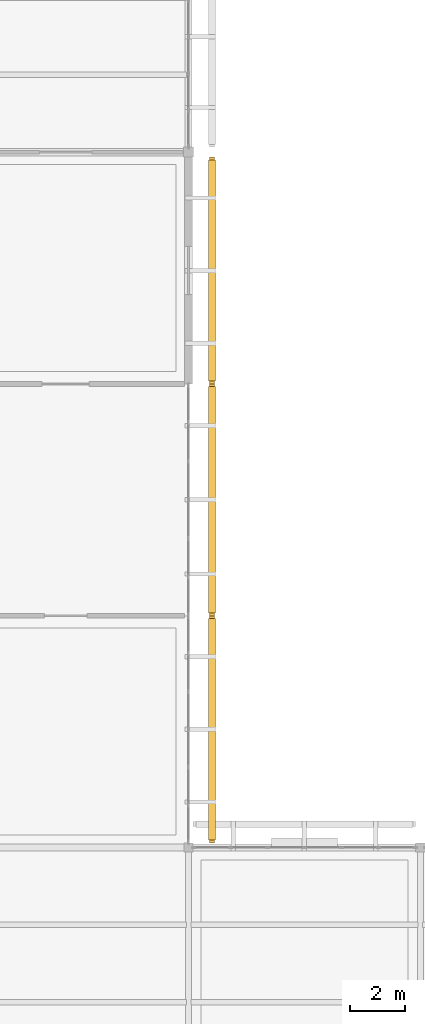
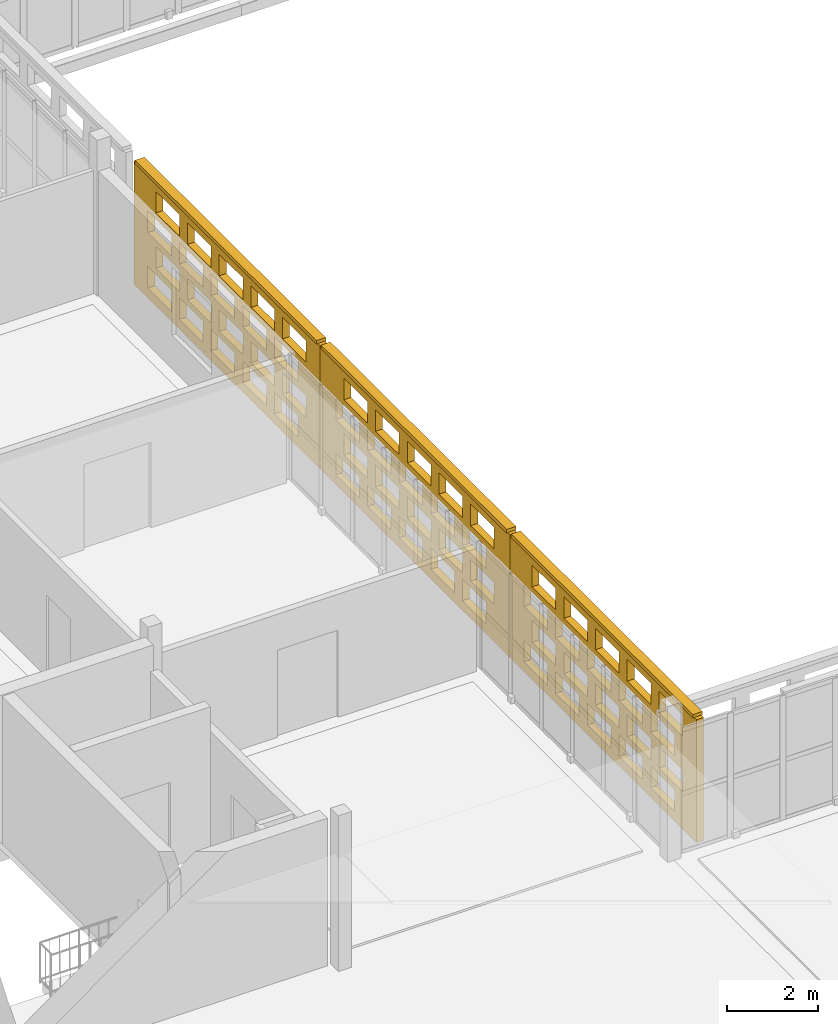
# One storey, part 125 of 140: 3 coverings, 3 shading devices, 60 openings.
"""IFC4 building model written with IfcOpenShell, lengths in metres."""

from ifc_helpers import new_model, si_unit, direction, frame, frame_2d, origin, origin_2d, place, context, subcontext, project, spatial, rectangle, extrude, material, layer, layer_set, type_object, element, save


model = new_model("IFC4")

# Units and contexts
model_context = context("Model", 3, precision=1e-05, world=origin(), true_north=direction((0.0, 1.0)))
body_context = subcontext(model_context, "Body", "Model", "MODEL_VIEW")
ifc_project = project(units=[si_unit("LENGTHUNIT", "METRE"), si_unit("AREAUNIT", "SQUARE_METRE"), si_unit("VOLUMEUNIT", "CUBIC_METRE"), si_unit("PLANEANGLEUNIT", "RADIAN"), si_unit("MASSUNIT", "GRAM", prefix="KILO")], contexts=[model_context])

# Site, building, storey
site_placement = place(None, origin())
site = spatial("IfcSite", under=ifc_project, at=site_placement, CompositionType="ELEMENT")
building_placement = place(site_placement, origin())
building = spatial("IfcBuilding", under=site, at=building_placement, Name="Varnapada Polytechnic", CompositionType="ELEMENT")
storey_placement = place(building_placement, frame((0.0, 0.0, 13.800048828125)))
storey = spatial("IfcBuildingStorey", under=building, at=storey_placement, Name="L03", CompositionType="ELEMENT", Elevation=13.800048828125)

# Covering, openings
ifc_material = material(Name="Earth-toned architectural terracotta screen block", Category="masonry")
ifc_layer_1 = layer(ifc_material, 0.1201171875)
ifc_layer_set_1 = layer_set([ifc_layer_1], Name="Earth-toned architectural terracotta screen block")
covering_type = type_object("IfcCoveringType", Name="Terracotta Screen Cladding CLD-01", PredefinedType="CLADDING", material=ifc_layer_set_1)
covering_1_placement = place(storey_placement, frame((68.050048828125, 100.800048828125, 0.0), z_axis=(0.0, 0.0, 1.0), x_axis=(0.0, -1.0, 0.0)))
covering_1 = element("IfcCovering", 1, at=covering_1_placement, inside=storey, type_object=covering_type, Name="L03 perforated terracotta block screen (49)", PredefinedType="CLADDING", context=body_context, shape_type="SweptSolid", body=[
    extrude(rectangle(XDim=8.22998046875, YDim=0.179931640625, at=frame_2d((4.114990234375, 0.0))), origin(), (0.0, 0.0, 1.0), 3.320068359375),
])
opening_1_placement = place(covering_1_placement, frame((0.614990234375, 0.0, 0.265625)))
element("IfcOpeningElement", 2, at=opening_1_placement, cuts=covering_1, Name="Screen perforation TBS-L03-048.1", PredefinedType="OPENING", context=body_context, shape_type="SweptSolid", body=[
    extrude(rectangle(XDim=1.0400390625, YDim=0.5810546875, at=frame_2d((0.52001953125, 0.29052734375))), frame((0.0, 0.099853515625, 0.0), z_axis=(0.0, -1.0, 0.0), x_axis=(1.0, 0.0, 0.0)), (0.0, 0.0, 1.0), 0.199951171875),
])
opening_2_placement = place(covering_1_placement, frame((2.014892578125, 0.0, 0.265625)))
element("IfcOpeningElement", 3, at=opening_2_placement, cuts=covering_1, Name="Screen perforation TBS-L03-048.2", PredefinedType="OPENING", context=body_context, shape_type="SweptSolid", body=[
    extrude(rectangle(XDim=1.0400390625, YDim=0.5810546875, at=frame_2d((0.52001953125, 0.29052734375))), frame((0.0, 0.099853515625, 0.0), z_axis=(0.0, -1.0, 0.0), x_axis=(1.0, 0.0, 0.0)), (0.0, 0.0, 1.0), 0.199951171875),
])
opening_3_placement = place(covering_1_placement, frame((3.4150390625, 0.0, 0.265625)))
element("IfcOpeningElement", 4, at=opening_3_placement, cuts=covering_1, Name="Screen perforation TBS-L03-048.3", PredefinedType="OPENING", context=body_context, shape_type="SweptSolid", body=[
    extrude(rectangle(XDim=1.0400390625, YDim=0.5810546875, at=frame_2d((0.52001953125, 0.29052734375))), frame((0.0, 0.099853515625, 0.0), z_axis=(0.0, -1.0, 0.0), x_axis=(1.0, 0.0, 0.0)), (0.0, 0.0, 1.0), 0.199951171875),
])
opening_4_placement = place(covering_1_placement, frame((4.81494140625, 0.0, 0.265625)))
element("IfcOpeningElement", 5, at=opening_4_placement, cuts=covering_1, Name="Screen perforation TBS-L03-048.4", PredefinedType="OPENING", context=body_context, shape_type="SweptSolid", body=[
    extrude(rectangle(XDim=1.0400390625, YDim=0.5810546875, at=frame_2d((0.52001953125, 0.29052734375))), frame((0.0, 0.099853515625, 0.0), z_axis=(0.0, -1.0, 0.0), x_axis=(1.0, 0.0, 0.0)), (0.0, 0.0, 1.0), 0.199951171875),
])
opening_5_placement = place(covering_1_placement, frame((6.215087890625, 0.0, 0.265625)))
element("IfcOpeningElement", 6, at=opening_5_placement, cuts=covering_1, Name="Screen perforation TBS-L03-048.5", PredefinedType="OPENING", context=body_context, shape_type="SweptSolid", body=[
    extrude(rectangle(XDim=1.0400390625, YDim=0.5810546875, at=frame_2d((0.52001953125, 0.29052734375))), frame((0.0, 0.099853515625, 0.0), z_axis=(0.0, -1.0, 0.0), x_axis=(1.0, 0.0, 0.0)), (0.0, 0.0, 1.0), 0.199951171875),
])
opening_6_placement = place(covering_1_placement, frame((0.97509765625, 0.0, 1.0126953125)))
element("IfcOpeningElement", 7, at=opening_6_placement, cuts=covering_1, Name="Screen perforation TBS-L03-048.6", PredefinedType="OPENING", context=body_context, shape_type="SweptSolid", body=[
    extrude(rectangle(XDim=1.0400390625, YDim=0.5810546875, at=frame_2d((0.52001953125, 0.29052734375))), frame((0.0, 0.099853515625, 0.0), z_axis=(0.0, -1.0, 0.0), x_axis=(1.0, 0.0, 0.0)), (0.0, 0.0, 1.0), 0.199951171875),
])
opening_7_placement = place(covering_1_placement, frame((2.375, 0.0, 1.0126953125)))
element("IfcOpeningElement", 8, at=opening_7_placement, cuts=covering_1, Name="Screen perforation TBS-L03-048.7", PredefinedType="OPENING", context=body_context, shape_type="SweptSolid", body=[
    extrude(rectangle(XDim=1.0400390625, YDim=0.5810546875, at=frame_2d((0.52001953125, 0.29052734375))), frame((0.0, 0.099853515625, 0.0), z_axis=(0.0, -1.0, 0.0), x_axis=(1.0, 0.0, 0.0)), (0.0, 0.0, 1.0), 0.199951171875),
])
opening_8_placement = place(covering_1_placement, frame((3.77490234375, 0.0, 1.0126953125)))
element("IfcOpeningElement", 9, at=opening_8_placement, cuts=covering_1, Name="Screen perforation TBS-L03-048.8", PredefinedType="OPENING", context=body_context, shape_type="SweptSolid", body=[
    extrude(rectangle(XDim=1.0400390625, YDim=0.5810546875, at=frame_2d((0.52001953125, 0.29052734375))), frame((0.0, 0.099853515625, 0.0), z_axis=(0.0, -1.0, 0.0), x_axis=(1.0, 0.0, 0.0)), (0.0, 0.0, 1.0), 0.199951171875),
])
opening_9_placement = place(covering_1_placement, frame((5.175048828125, 0.0, 1.0126953125)))
element("IfcOpeningElement", 10, at=opening_9_placement, cuts=covering_1, Name="Screen perforation TBS-L03-048.9", PredefinedType="OPENING", context=body_context, shape_type="SweptSolid", body=[
    extrude(rectangle(XDim=1.0400390625, YDim=0.5810546875, at=frame_2d((0.52001953125, 0.29052734375))), frame((0.0, 0.099853515625, 0.0), z_axis=(0.0, -1.0, 0.0), x_axis=(1.0, 0.0, 0.0)), (0.0, 0.0, 1.0), 0.199951171875),
])
opening_10_placement = place(covering_1_placement, frame((6.574951171875, 0.0, 1.0126953125)))
element("IfcOpeningElement", 11, at=opening_10_placement, cuts=covering_1, Name="Screen perforation TBS-L03-048.10", PredefinedType="OPENING", context=body_context, shape_type="SweptSolid", body=[
    extrude(rectangle(XDim=1.0400390625, YDim=0.5810546875, at=frame_2d((0.52001953125, 0.29052734375))), frame((0.0, 0.099853515625, 0.0), z_axis=(0.0, -1.0, 0.0), x_axis=(1.0, 0.0, 0.0)), (0.0, 0.0, 1.0), 0.199951171875),
])
opening_11_placement = place(covering_1_placement, frame((0.614990234375, 0.0, 1.759521484375)))
element("IfcOpeningElement", 12, at=opening_11_placement, cuts=covering_1, Name="Screen perforation TBS-L03-048.11", PredefinedType="OPENING", context=body_context, shape_type="SweptSolid", body=[
    extrude(rectangle(XDim=1.0400390625, YDim=0.5810546875, at=frame_2d((0.52001953125, 0.29052734375))), frame((0.0, 0.099853515625, 0.0), z_axis=(0.0, -1.0, 0.0), x_axis=(1.0, 0.0, 0.0)), (0.0, 0.0, 1.0), 0.199951171875),
])
opening_12_placement = place(covering_1_placement, frame((2.014892578125, 0.0, 1.759521484375)))
element("IfcOpeningElement", 13, at=opening_12_placement, cuts=covering_1, Name="Screen perforation TBS-L03-048.12", PredefinedType="OPENING", context=body_context, shape_type="SweptSolid", body=[
    extrude(rectangle(XDim=1.0400390625, YDim=0.5810546875, at=frame_2d((0.52001953125, 0.29052734375))), frame((0.0, 0.099853515625, 0.0), z_axis=(0.0, -1.0, 0.0), x_axis=(1.0, 0.0, 0.0)), (0.0, 0.0, 1.0), 0.199951171875),
])
opening_13_placement = place(covering_1_placement, frame((3.4150390625, 0.0, 1.759521484375)))
element("IfcOpeningElement", 14, at=opening_13_placement, cuts=covering_1, Name="Screen perforation TBS-L03-048.13", PredefinedType="OPENING", context=body_context, shape_type="SweptSolid", body=[
    extrude(rectangle(XDim=1.0400390625, YDim=0.5810546875, at=frame_2d((0.52001953125, 0.29052734375))), frame((0.0, 0.099853515625, 0.0), z_axis=(0.0, -1.0, 0.0), x_axis=(1.0, 0.0, 0.0)), (0.0, 0.0, 1.0), 0.199951171875),
])
opening_14_placement = place(covering_1_placement, frame((4.81494140625, 0.0, 1.759521484375)))
element("IfcOpeningElement", 15, at=opening_14_placement, cuts=covering_1, Name="Screen perforation TBS-L03-048.14", PredefinedType="OPENING", context=body_context, shape_type="SweptSolid", body=[
    extrude(rectangle(XDim=1.0400390625, YDim=0.5810546875, at=frame_2d((0.52001953125, 0.29052734375))), frame((0.0, 0.099853515625, 0.0), z_axis=(0.0, -1.0, 0.0), x_axis=(1.0, 0.0, 0.0)), (0.0, 0.0, 1.0), 0.199951171875),
])
opening_15_placement = place(covering_1_placement, frame((6.215087890625, 0.0, 1.759521484375)))
element("IfcOpeningElement", 16, at=opening_15_placement, cuts=covering_1, Name="Screen perforation TBS-L03-048.15", PredefinedType="OPENING", context=body_context, shape_type="SweptSolid", body=[
    extrude(rectangle(XDim=1.0400390625, YDim=0.5810546875, at=frame_2d((0.52001953125, 0.29052734375))), frame((0.0, 0.099853515625, 0.0), z_axis=(0.0, -1.0, 0.0), x_axis=(1.0, 0.0, 0.0)), (0.0, 0.0, 1.0), 0.199951171875),
])
opening_16_placement = place(covering_1_placement, frame((0.97509765625, 0.0, 2.506591796875)))
element("IfcOpeningElement", 17, at=opening_16_placement, cuts=covering_1, Name="Screen perforation TBS-L03-048.16", PredefinedType="OPENING", context=body_context, shape_type="SweptSolid", body=[
    extrude(rectangle(XDim=1.0400390625, YDim=0.5810546875, at=frame_2d((0.52001953125, 0.29052734375))), frame((0.0, 0.099853515625, 0.0), z_axis=(0.0, -1.0, 0.0), x_axis=(1.0, 0.0, 0.0)), (0.0, 0.0, 1.0), 0.199951171875),
])
opening_17_placement = place(covering_1_placement, frame((2.375, 0.0, 2.506591796875)))
element("IfcOpeningElement", 18, at=opening_17_placement, cuts=covering_1, Name="Screen perforation TBS-L03-048.17", PredefinedType="OPENING", context=body_context, shape_type="SweptSolid", body=[
    extrude(rectangle(XDim=1.0400390625, YDim=0.5810546875, at=frame_2d((0.52001953125, 0.29052734375))), frame((0.0, 0.099853515625, 0.0), z_axis=(0.0, -1.0, 0.0), x_axis=(1.0, 0.0, 0.0)), (0.0, 0.0, 1.0), 0.199951171875),
])
opening_18_placement = place(covering_1_placement, frame((3.77490234375, 0.0, 2.506591796875)))
element("IfcOpeningElement", 19, at=opening_18_placement, cuts=covering_1, Name="Screen perforation TBS-L03-048.18", PredefinedType="OPENING", context=body_context, shape_type="SweptSolid", body=[
    extrude(rectangle(XDim=1.0400390625, YDim=0.5810546875, at=frame_2d((0.52001953125, 0.29052734375))), frame((0.0, 0.099853515625, 0.0), z_axis=(0.0, -1.0, 0.0), x_axis=(1.0, 0.0, 0.0)), (0.0, 0.0, 1.0), 0.199951171875),
])
opening_19_placement = place(covering_1_placement, frame((5.175048828125, 0.0, 2.506591796875)))
element("IfcOpeningElement", 20, at=opening_19_placement, cuts=covering_1, Name="Screen perforation TBS-L03-048.19", PredefinedType="OPENING", context=body_context, shape_type="SweptSolid", body=[
    extrude(rectangle(XDim=1.0400390625, YDim=0.5810546875, at=frame_2d((0.52001953125, 0.29052734375))), frame((0.0, 0.099853515625, 0.0), z_axis=(0.0, -1.0, 0.0), x_axis=(1.0, 0.0, 0.0)), (0.0, 0.0, 1.0), 0.199951171875),
])
opening_20_placement = place(covering_1_placement, frame((6.574951171875, 0.0, 2.506591796875)))
element("IfcOpeningElement", 21, at=opening_20_placement, cuts=covering_1, Name="Screen perforation TBS-L03-048.20", PredefinedType="OPENING", context=body_context, shape_type="SweptSolid", body=[
    extrude(rectangle(XDim=1.0400390625, YDim=0.5810546875, at=frame_2d((0.52001953125, 0.29052734375))), frame((0.0, 0.099853515625, 0.0), z_axis=(0.0, -1.0, 0.0), x_axis=(1.0, 0.0, 0.0)), (0.0, 0.0, 1.0), 0.199951171875),
])

covering_2_placement = place(storey_placement, frame((68.050048828125, 109.199951171875, 0.0), z_axis=(0.0, 0.0, 1.0), x_axis=(0.0, -1.0, 0.0)))
covering_2 = element("IfcCovering", 22, at=covering_2_placement, inside=storey, type_object=covering_type, Name="L03 perforated terracotta block screen (50)", PredefinedType="CLADDING", context=body_context, shape_type="SweptSolid", body=[
    extrude(rectangle(XDim=8.39990234375, YDim=0.179931640625, at=frame_2d((4.199951171875, 0.0))), origin(), (0.0, 0.0, 1.0), 3.320068359375),
])
opening_21_placement = place(covering_2_placement, frame((0.699951171875, 0.0, 0.265625)))
element("IfcOpeningElement", 23, at=opening_21_placement, cuts=covering_2, Name="Screen perforation TBS-L03-049.1", PredefinedType="OPENING", context=body_context, shape_type="SweptSolid", body=[
    extrude(rectangle(XDim=1.0400390625, YDim=0.5810546875, at=frame_2d((0.52001953125, 0.29052734375))), frame((0.0, 0.099853515625, 0.0), z_axis=(0.0, -1.0, 0.0), x_axis=(1.0, 0.0, 0.0)), (0.0, 0.0, 1.0), 0.199951171875),
])
opening_22_placement = place(covering_2_placement, frame((2.10009765625, 0.0, 0.265625)))
element("IfcOpeningElement", 24, at=opening_22_placement, cuts=covering_2, Name="Screen perforation TBS-L03-049.2", PredefinedType="OPENING", context=body_context, shape_type="SweptSolid", body=[
    extrude(rectangle(XDim=1.0400390625, YDim=0.5810546875, at=frame_2d((0.52001953125, 0.29052734375))), frame((0.0, 0.099853515625, 0.0), z_axis=(0.0, -1.0, 0.0), x_axis=(1.0, 0.0, 0.0)), (0.0, 0.0, 1.0), 0.199951171875),
])
opening_23_placement = place(covering_2_placement, frame((3.5, 0.0, 0.265625)))
element("IfcOpeningElement", 25, at=opening_23_placement, cuts=covering_2, Name="Screen perforation TBS-L03-049.3", PredefinedType="OPENING", context=body_context, shape_type="SweptSolid", body=[
    extrude(rectangle(XDim=1.0400390625, YDim=0.5810546875, at=frame_2d((0.52001953125, 0.29052734375))), frame((0.0, 0.099853515625, 0.0), z_axis=(0.0, -1.0, 0.0), x_axis=(1.0, 0.0, 0.0)), (0.0, 0.0, 1.0), 0.199951171875),
])
opening_24_placement = place(covering_2_placement, frame((4.89990234375, 0.0, 0.265625)))
element("IfcOpeningElement", 26, at=opening_24_placement, cuts=covering_2, Name="Screen perforation TBS-L03-049.4", PredefinedType="OPENING", context=body_context, shape_type="SweptSolid", body=[
    extrude(rectangle(XDim=1.0400390625, YDim=0.5810546875, at=frame_2d((0.52001953125, 0.29052734375))), frame((0.0, 0.099853515625, 0.0), z_axis=(0.0, -1.0, 0.0), x_axis=(1.0, 0.0, 0.0)), (0.0, 0.0, 1.0), 0.199951171875),
])
opening_25_placement = place(covering_2_placement, frame((6.300048828125, 0.0, 0.265625)))
element("IfcOpeningElement", 27, at=opening_25_placement, cuts=covering_2, Name="Screen perforation TBS-L03-049.5", PredefinedType="OPENING", context=body_context, shape_type="SweptSolid", body=[
    extrude(rectangle(XDim=1.0400390625, YDim=0.5810546875, at=frame_2d((0.52001953125, 0.29052734375))), frame((0.0, 0.099853515625, 0.0), z_axis=(0.0, -1.0, 0.0), x_axis=(1.0, 0.0, 0.0)), (0.0, 0.0, 1.0), 0.199951171875),
])
opening_26_placement = place(covering_2_placement, frame((1.06005859375, 0.0, 1.0126953125)))
element("IfcOpeningElement", 28, at=opening_26_placement, cuts=covering_2, Name="Screen perforation TBS-L03-049.6", PredefinedType="OPENING", context=body_context, shape_type="SweptSolid", body=[
    extrude(rectangle(XDim=1.0400390625, YDim=0.5810546875, at=frame_2d((0.52001953125, 0.29052734375))), frame((0.0, 0.099853515625, 0.0), z_axis=(0.0, -1.0, 0.0), x_axis=(1.0, 0.0, 0.0)), (0.0, 0.0, 1.0), 0.199951171875),
])
opening_27_placement = place(covering_2_placement, frame((2.4599609375, 0.0, 1.0126953125)))
element("IfcOpeningElement", 29, at=opening_27_placement, cuts=covering_2, Name="Screen perforation TBS-L03-049.7", PredefinedType="OPENING", context=body_context, shape_type="SweptSolid", body=[
    extrude(rectangle(XDim=1.0400390625, YDim=0.5810546875, at=frame_2d((0.52001953125, 0.29052734375))), frame((0.0, 0.099853515625, 0.0), z_axis=(0.0, -1.0, 0.0), x_axis=(1.0, 0.0, 0.0)), (0.0, 0.0, 1.0), 0.199951171875),
])
opening_28_placement = place(covering_2_placement, frame((3.860107421875, 0.0, 1.0126953125)))
element("IfcOpeningElement", 30, at=opening_28_placement, cuts=covering_2, Name="Screen perforation TBS-L03-049.8", PredefinedType="OPENING", context=body_context, shape_type="SweptSolid", body=[
    extrude(rectangle(XDim=1.0400390625, YDim=0.5810546875, at=frame_2d((0.52001953125, 0.29052734375))), frame((0.0, 0.099853515625, 0.0), z_axis=(0.0, -1.0, 0.0), x_axis=(1.0, 0.0, 0.0)), (0.0, 0.0, 1.0), 0.199951171875),
])
opening_29_placement = place(covering_2_placement, frame((5.260009765625, 0.0, 1.0126953125)))
element("IfcOpeningElement", 31, at=opening_29_placement, cuts=covering_2, Name="Screen perforation TBS-L03-049.9", PredefinedType="OPENING", context=body_context, shape_type="SweptSolid", body=[
    extrude(rectangle(XDim=1.0400390625, YDim=0.5810546875, at=frame_2d((0.52001953125, 0.29052734375))), frame((0.0, 0.099853515625, 0.0), z_axis=(0.0, -1.0, 0.0), x_axis=(1.0, 0.0, 0.0)), (0.0, 0.0, 1.0), 0.199951171875),
])
opening_30_placement = place(covering_2_placement, frame((6.659912109375, 0.0, 1.0126953125)))
element("IfcOpeningElement", 32, at=opening_30_placement, cuts=covering_2, Name="Screen perforation TBS-L03-049.10", PredefinedType="OPENING", context=body_context, shape_type="SweptSolid", body=[
    extrude(rectangle(XDim=1.0400390625, YDim=0.5810546875, at=frame_2d((0.52001953125, 0.29052734375))), frame((0.0, 0.099853515625, 0.0), z_axis=(0.0, -1.0, 0.0), x_axis=(1.0, 0.0, 0.0)), (0.0, 0.0, 1.0), 0.199951171875),
])
opening_31_placement = place(covering_2_placement, frame((0.699951171875, 0.0, 1.759521484375)))
element("IfcOpeningElement", 33, at=opening_31_placement, cuts=covering_2, Name="Screen perforation TBS-L03-049.11", PredefinedType="OPENING", context=body_context, shape_type="SweptSolid", body=[
    extrude(rectangle(XDim=1.0400390625, YDim=0.5810546875, at=frame_2d((0.52001953125, 0.29052734375))), frame((0.0, 0.099853515625, 0.0), z_axis=(0.0, -1.0, 0.0), x_axis=(1.0, 0.0, 0.0)), (0.0, 0.0, 1.0), 0.199951171875),
])
opening_32_placement = place(covering_2_placement, frame((2.10009765625, 0.0, 1.759521484375)))
element("IfcOpeningElement", 34, at=opening_32_placement, cuts=covering_2, Name="Screen perforation TBS-L03-049.12", PredefinedType="OPENING", context=body_context, shape_type="SweptSolid", body=[
    extrude(rectangle(XDim=1.0400390625, YDim=0.5810546875, at=frame_2d((0.52001953125, 0.29052734375))), frame((0.0, 0.099853515625, 0.0), z_axis=(0.0, -1.0, 0.0), x_axis=(1.0, 0.0, 0.0)), (0.0, 0.0, 1.0), 0.199951171875),
])
opening_33_placement = place(covering_2_placement, frame((3.5, 0.0, 1.759521484375)))
element("IfcOpeningElement", 35, at=opening_33_placement, cuts=covering_2, Name="Screen perforation TBS-L03-049.13", PredefinedType="OPENING", context=body_context, shape_type="SweptSolid", body=[
    extrude(rectangle(XDim=1.0400390625, YDim=0.5810546875, at=frame_2d((0.52001953125, 0.29052734375))), frame((0.0, 0.099853515625, 0.0), z_axis=(0.0, -1.0, 0.0), x_axis=(1.0, 0.0, 0.0)), (0.0, 0.0, 1.0), 0.199951171875),
])
opening_34_placement = place(covering_2_placement, frame((4.89990234375, 0.0, 1.759521484375)))
element("IfcOpeningElement", 36, at=opening_34_placement, cuts=covering_2, Name="Screen perforation TBS-L03-049.14", PredefinedType="OPENING", context=body_context, shape_type="SweptSolid", body=[
    extrude(rectangle(XDim=1.0400390625, YDim=0.5810546875, at=frame_2d((0.52001953125, 0.29052734375))), frame((0.0, 0.099853515625, 0.0), z_axis=(0.0, -1.0, 0.0), x_axis=(1.0, 0.0, 0.0)), (0.0, 0.0, 1.0), 0.199951171875),
])
opening_35_placement = place(covering_2_placement, frame((6.300048828125, 0.0, 1.759521484375)))
element("IfcOpeningElement", 37, at=opening_35_placement, cuts=covering_2, Name="Screen perforation TBS-L03-049.15", PredefinedType="OPENING", context=body_context, shape_type="SweptSolid", body=[
    extrude(rectangle(XDim=1.0400390625, YDim=0.5810546875, at=frame_2d((0.52001953125, 0.29052734375))), frame((0.0, 0.099853515625, 0.0), z_axis=(0.0, -1.0, 0.0), x_axis=(1.0, 0.0, 0.0)), (0.0, 0.0, 1.0), 0.199951171875),
])
opening_36_placement = place(covering_2_placement, frame((1.06005859375, 0.0, 2.506591796875)))
element("IfcOpeningElement", 38, at=opening_36_placement, cuts=covering_2, Name="Screen perforation TBS-L03-049.16", PredefinedType="OPENING", context=body_context, shape_type="SweptSolid", body=[
    extrude(rectangle(XDim=1.0400390625, YDim=0.5810546875, at=frame_2d((0.52001953125, 0.29052734375))), frame((0.0, 0.099853515625, 0.0), z_axis=(0.0, -1.0, 0.0), x_axis=(1.0, 0.0, 0.0)), (0.0, 0.0, 1.0), 0.199951171875),
])
opening_37_placement = place(covering_2_placement, frame((2.4599609375, 0.0, 2.506591796875)))
element("IfcOpeningElement", 39, at=opening_37_placement, cuts=covering_2, Name="Screen perforation TBS-L03-049.17", PredefinedType="OPENING", context=body_context, shape_type="SweptSolid", body=[
    extrude(rectangle(XDim=1.0400390625, YDim=0.5810546875, at=frame_2d((0.52001953125, 0.29052734375))), frame((0.0, 0.099853515625, 0.0), z_axis=(0.0, -1.0, 0.0), x_axis=(1.0, 0.0, 0.0)), (0.0, 0.0, 1.0), 0.199951171875),
])
opening_38_placement = place(covering_2_placement, frame((3.860107421875, 0.0, 2.506591796875)))
element("IfcOpeningElement", 40, at=opening_38_placement, cuts=covering_2, Name="Screen perforation TBS-L03-049.18", PredefinedType="OPENING", context=body_context, shape_type="SweptSolid", body=[
    extrude(rectangle(XDim=1.0400390625, YDim=0.5810546875, at=frame_2d((0.52001953125, 0.29052734375))), frame((0.0, 0.099853515625, 0.0), z_axis=(0.0, -1.0, 0.0), x_axis=(1.0, 0.0, 0.0)), (0.0, 0.0, 1.0), 0.199951171875),
])
opening_39_placement = place(covering_2_placement, frame((5.260009765625, 0.0, 2.506591796875)))
element("IfcOpeningElement", 41, at=opening_39_placement, cuts=covering_2, Name="Screen perforation TBS-L03-049.19", PredefinedType="OPENING", context=body_context, shape_type="SweptSolid", body=[
    extrude(rectangle(XDim=1.0400390625, YDim=0.5810546875, at=frame_2d((0.52001953125, 0.29052734375))), frame((0.0, 0.099853515625, 0.0), z_axis=(0.0, -1.0, 0.0), x_axis=(1.0, 0.0, 0.0)), (0.0, 0.0, 1.0), 0.199951171875),
])
opening_40_placement = place(covering_2_placement, frame((6.659912109375, 0.0, 2.506591796875)))
element("IfcOpeningElement", 42, at=opening_40_placement, cuts=covering_2, Name="Screen perforation TBS-L03-049.20", PredefinedType="OPENING", context=body_context, shape_type="SweptSolid", body=[
    extrude(rectangle(XDim=1.0400390625, YDim=0.5810546875, at=frame_2d((0.52001953125, 0.29052734375))), frame((0.0, 0.099853515625, 0.0), z_axis=(0.0, -1.0, 0.0), x_axis=(1.0, 0.0, 0.0)), (0.0, 0.0, 1.0), 0.199951171875),
])

covering_3_placement = place(storey_placement, frame((68.050048828125, 117.419921875, 0.0), z_axis=(0.0, 0.0, 1.0), x_axis=(0.0, -1.0, 0.0)))
covering_3 = element("IfcCovering", 43, at=covering_3_placement, inside=storey, type_object=covering_type, Name="L03 perforated terracotta block screen (51)", PredefinedType="CLADDING", context=body_context, shape_type="SweptSolid", body=[
    extrude(rectangle(XDim=8.219970703125, YDim=0.179931640625, at=frame_2d((4.10986328125, 0.0))), origin(), (0.0, 0.0, 1.0), 3.320068359375),
])
opening_41_placement = place(covering_3_placement, frame((0.610107421875, 0.0, 0.265625)))
element("IfcOpeningElement", 44, at=opening_41_placement, cuts=covering_3, Name="Screen perforation TBS-L03-050.1", PredefinedType="OPENING", context=body_context, shape_type="SweptSolid", body=[
    extrude(rectangle(XDim=1.0400390625, YDim=0.5810546875, at=frame_2d((0.52001953125, 0.29052734375))), frame((0.0, 0.099853515625, 0.0), z_axis=(0.0, -1.0, 0.0), x_axis=(1.0, 0.0, 0.0)), (0.0, 0.0, 1.0), 0.199951171875),
])
opening_42_placement = place(covering_3_placement, frame((2.010009765625, 0.0, 0.265625)))
element("IfcOpeningElement", 45, at=opening_42_placement, cuts=covering_3, Name="Screen perforation TBS-L03-050.2", PredefinedType="OPENING", context=body_context, shape_type="SweptSolid", body=[
    extrude(rectangle(XDim=1.0400390625, YDim=0.5810546875, at=frame_2d((0.52001953125, 0.29052734375))), frame((0.0, 0.099853515625, 0.0), z_axis=(0.0, -1.0, 0.0), x_axis=(1.0, 0.0, 0.0)), (0.0, 0.0, 1.0), 0.199951171875),
])
opening_43_placement = place(covering_3_placement, frame((3.409912109375, 0.0, 0.265625)))
element("IfcOpeningElement", 46, at=opening_43_placement, cuts=covering_3, Name="Screen perforation TBS-L03-050.3", PredefinedType="OPENING", context=body_context, shape_type="SweptSolid", body=[
    extrude(rectangle(XDim=1.0400390625, YDim=0.5810546875, at=frame_2d((0.52001953125, 0.29052734375))), frame((0.0, 0.099853515625, 0.0), z_axis=(0.0, -1.0, 0.0), x_axis=(1.0, 0.0, 0.0)), (0.0, 0.0, 1.0), 0.199951171875),
])
opening_44_placement = place(covering_3_placement, frame((4.81005859375, 0.0, 0.265625)))
element("IfcOpeningElement", 47, at=opening_44_placement, cuts=covering_3, Name="Screen perforation TBS-L03-050.4", PredefinedType="OPENING", context=body_context, shape_type="SweptSolid", body=[
    extrude(rectangle(XDim=1.0400390625, YDim=0.5810546875, at=frame_2d((0.52001953125, 0.29052734375))), frame((0.0, 0.099853515625, 0.0), z_axis=(0.0, -1.0, 0.0), x_axis=(1.0, 0.0, 0.0)), (0.0, 0.0, 1.0), 0.199951171875),
])
opening_45_placement = place(covering_3_placement, frame((6.2099609375, 0.0, 0.265625)))
element("IfcOpeningElement", 48, at=opening_45_placement, cuts=covering_3, Name="Screen perforation TBS-L03-050.5", PredefinedType="OPENING", context=body_context, shape_type="SweptSolid", body=[
    extrude(rectangle(XDim=1.0400390625, YDim=0.5810546875, at=frame_2d((0.52001953125, 0.29052734375))), frame((0.0, 0.099853515625, 0.0), z_axis=(0.0, -1.0, 0.0), x_axis=(1.0, 0.0, 0.0)), (0.0, 0.0, 1.0), 0.199951171875),
])
opening_46_placement = place(covering_3_placement, frame((0.969970703125, 0.0, 1.0126953125)))
element("IfcOpeningElement", 49, at=opening_46_placement, cuts=covering_3, Name="Screen perforation TBS-L03-050.6", PredefinedType="OPENING", context=body_context, shape_type="SweptSolid", body=[
    extrude(rectangle(XDim=1.0400390625, YDim=0.5810546875, at=frame_2d((0.52001953125, 0.29052734375))), frame((0.0, 0.099853515625, 0.0), z_axis=(0.0, -1.0, 0.0), x_axis=(1.0, 0.0, 0.0)), (0.0, 0.0, 1.0), 0.199951171875),
])
opening_47_placement = place(covering_3_placement, frame((2.3701171875, 0.0, 1.0126953125)))
element("IfcOpeningElement", 50, at=opening_47_placement, cuts=covering_3, Name="Screen perforation TBS-L03-050.7", PredefinedType="OPENING", context=body_context, shape_type="SweptSolid", body=[
    extrude(rectangle(XDim=1.0400390625, YDim=0.5810546875, at=frame_2d((0.52001953125, 0.29052734375))), frame((0.0, 0.099853515625, 0.0), z_axis=(0.0, -1.0, 0.0), x_axis=(1.0, 0.0, 0.0)), (0.0, 0.0, 1.0), 0.199951171875),
])
opening_48_placement = place(covering_3_placement, frame((3.77001953125, 0.0, 1.0126953125)))
element("IfcOpeningElement", 51, at=opening_48_placement, cuts=covering_3, Name="Screen perforation TBS-L03-050.8", PredefinedType="OPENING", context=body_context, shape_type="SweptSolid", body=[
    extrude(rectangle(XDim=1.0400390625, YDim=0.5810546875, at=frame_2d((0.52001953125, 0.29052734375))), frame((0.0, 0.099853515625, 0.0), z_axis=(0.0, -1.0, 0.0), x_axis=(1.0, 0.0, 0.0)), (0.0, 0.0, 1.0), 0.199951171875),
])
opening_49_placement = place(covering_3_placement, frame((5.169921875, 0.0, 1.0126953125)))
element("IfcOpeningElement", 52, at=opening_49_placement, cuts=covering_3, Name="Screen perforation TBS-L03-050.9", PredefinedType="OPENING", context=body_context, shape_type="SweptSolid", body=[
    extrude(rectangle(XDim=1.0400390625, YDim=0.5810546875, at=frame_2d((0.52001953125, 0.29052734375))), frame((0.0, 0.099853515625, 0.0), z_axis=(0.0, -1.0, 0.0), x_axis=(1.0, 0.0, 0.0)), (0.0, 0.0, 1.0), 0.199951171875),
])
opening_50_placement = place(covering_3_placement, frame((6.570068359375, 0.0, 1.0126953125)))
element("IfcOpeningElement", 53, at=opening_50_placement, cuts=covering_3, Name="Screen perforation TBS-L03-050.10", PredefinedType="OPENING", context=body_context, shape_type="SweptSolid", body=[
    extrude(rectangle(XDim=1.0400390625, YDim=0.5810546875, at=frame_2d((0.52001953125, 0.29052734375))), frame((0.0, 0.099853515625, 0.0), z_axis=(0.0, -1.0, 0.0), x_axis=(1.0, 0.0, 0.0)), (0.0, 0.0, 1.0), 0.199951171875),
])
opening_51_placement = place(covering_3_placement, frame((0.610107421875, 0.0, 1.759521484375)))
element("IfcOpeningElement", 54, at=opening_51_placement, cuts=covering_3, Name="Screen perforation TBS-L03-050.11", PredefinedType="OPENING", context=body_context, shape_type="SweptSolid", body=[
    extrude(rectangle(XDim=1.0400390625, YDim=0.5810546875, at=frame_2d((0.52001953125, 0.29052734375))), frame((0.0, 0.099853515625, 0.0), z_axis=(0.0, -1.0, 0.0), x_axis=(1.0, 0.0, 0.0)), (0.0, 0.0, 1.0), 0.199951171875),
])
opening_52_placement = place(covering_3_placement, frame((2.010009765625, 0.0, 1.759521484375)))
element("IfcOpeningElement", 55, at=opening_52_placement, cuts=covering_3, Name="Screen perforation TBS-L03-050.12", PredefinedType="OPENING", context=body_context, shape_type="SweptSolid", body=[
    extrude(rectangle(XDim=1.0400390625, YDim=0.5810546875, at=frame_2d((0.52001953125, 0.29052734375))), frame((0.0, 0.099853515625, 0.0), z_axis=(0.0, -1.0, 0.0), x_axis=(1.0, 0.0, 0.0)), (0.0, 0.0, 1.0), 0.199951171875),
])
opening_53_placement = place(covering_3_placement, frame((3.409912109375, 0.0, 1.759521484375)))
element("IfcOpeningElement", 56, at=opening_53_placement, cuts=covering_3, Name="Screen perforation TBS-L03-050.13", PredefinedType="OPENING", context=body_context, shape_type="SweptSolid", body=[
    extrude(rectangle(XDim=1.0400390625, YDim=0.5810546875, at=frame_2d((0.52001953125, 0.29052734375))), frame((0.0, 0.099853515625, 0.0), z_axis=(0.0, -1.0, 0.0), x_axis=(1.0, 0.0, 0.0)), (0.0, 0.0, 1.0), 0.199951171875),
])
opening_54_placement = place(covering_3_placement, frame((4.81005859375, 0.0, 1.759521484375)))
element("IfcOpeningElement", 57, at=opening_54_placement, cuts=covering_3, Name="Screen perforation TBS-L03-050.14", PredefinedType="OPENING", context=body_context, shape_type="SweptSolid", body=[
    extrude(rectangle(XDim=1.0400390625, YDim=0.5810546875, at=frame_2d((0.52001953125, 0.29052734375))), frame((0.0, 0.099853515625, 0.0), z_axis=(0.0, -1.0, 0.0), x_axis=(1.0, 0.0, 0.0)), (0.0, 0.0, 1.0), 0.199951171875),
])
opening_55_placement = place(covering_3_placement, frame((6.2099609375, 0.0, 1.759521484375)))
element("IfcOpeningElement", 58, at=opening_55_placement, cuts=covering_3, Name="Screen perforation TBS-L03-050.15", PredefinedType="OPENING", context=body_context, shape_type="SweptSolid", body=[
    extrude(rectangle(XDim=1.0400390625, YDim=0.5810546875, at=frame_2d((0.52001953125, 0.29052734375))), frame((0.0, 0.099853515625, 0.0), z_axis=(0.0, -1.0, 0.0), x_axis=(1.0, 0.0, 0.0)), (0.0, 0.0, 1.0), 0.199951171875),
])
opening_56_placement = place(covering_3_placement, frame((0.969970703125, 0.0, 2.506591796875)))
element("IfcOpeningElement", 59, at=opening_56_placement, cuts=covering_3, Name="Screen perforation TBS-L03-050.16", PredefinedType="OPENING", context=body_context, shape_type="SweptSolid", body=[
    extrude(rectangle(XDim=1.0400390625, YDim=0.5810546875, at=frame_2d((0.52001953125, 0.29052734375))), frame((0.0, 0.099853515625, 0.0), z_axis=(0.0, -1.0, 0.0), x_axis=(1.0, 0.0, 0.0)), (0.0, 0.0, 1.0), 0.199951171875),
])
opening_57_placement = place(covering_3_placement, frame((2.3701171875, 0.0, 2.506591796875)))
element("IfcOpeningElement", 60, at=opening_57_placement, cuts=covering_3, Name="Screen perforation TBS-L03-050.17", PredefinedType="OPENING", context=body_context, shape_type="SweptSolid", body=[
    extrude(rectangle(XDim=1.0400390625, YDim=0.5810546875, at=frame_2d((0.52001953125, 0.29052734375))), frame((0.0, 0.099853515625, 0.0), z_axis=(0.0, -1.0, 0.0), x_axis=(1.0, 0.0, 0.0)), (0.0, 0.0, 1.0), 0.199951171875),
])
opening_58_placement = place(covering_3_placement, frame((3.77001953125, 0.0, 2.506591796875)))
element("IfcOpeningElement", 61, at=opening_58_placement, cuts=covering_3, Name="Screen perforation TBS-L03-050.18", PredefinedType="OPENING", context=body_context, shape_type="SweptSolid", body=[
    extrude(rectangle(XDim=1.0400390625, YDim=0.5810546875, at=frame_2d((0.52001953125, 0.29052734375))), frame((0.0, 0.099853515625, 0.0), z_axis=(0.0, -1.0, 0.0), x_axis=(1.0, 0.0, 0.0)), (0.0, 0.0, 1.0), 0.199951171875),
])
opening_59_placement = place(covering_3_placement, frame((5.169921875, 0.0, 2.506591796875)))
element("IfcOpeningElement", 62, at=opening_59_placement, cuts=covering_3, Name="Screen perforation TBS-L03-050.19", PredefinedType="OPENING", context=body_context, shape_type="SweptSolid", body=[
    extrude(rectangle(XDim=1.0400390625, YDim=0.5810546875, at=frame_2d((0.52001953125, 0.29052734375))), frame((0.0, 0.099853515625, 0.0), z_axis=(0.0, -1.0, 0.0), x_axis=(1.0, 0.0, 0.0)), (0.0, 0.0, 1.0), 0.199951171875),
])
opening_60_placement = place(covering_3_placement, frame((6.570068359375, 0.0, 2.506591796875)))
element("IfcOpeningElement", 63, at=opening_60_placement, cuts=covering_3, Name="Screen perforation TBS-L03-050.20", PredefinedType="OPENING", context=body_context, shape_type="SweptSolid", body=[
    extrude(rectangle(XDim=1.0400390625, YDim=0.5810546875, at=frame_2d((0.52001953125, 0.29052734375))), frame((0.0, 0.099853515625, 0.0), z_axis=(0.0, -1.0, 0.0), x_axis=(1.0, 0.0, 0.0)), (0.0, 0.0, 1.0), 0.199951171875),
])

# Shading devices
ifc_layer_2 = layer(ifc_material, 0.179931640625)
ifc_layer_set_2 = layer_set([ifc_layer_2], Name="Earth-toned architectural terracotta screen block")
shading_device_type = type_object("IfcShadingDeviceType", Name="Terracotta Screen SCR-01", PredefinedType="USERDEFINED", material=ifc_layer_set_2)
shading_device_1_placement = place(storey_placement, frame((68.050048828125, 96.68505859375, 3.309814453125), z_axis=(0.0, 0.0, 1.0), x_axis=(0.0, -1.0, 0.0)))
element("IfcShadingDevice", 64, at=shading_device_1_placement, inside=storey, type_object=shading_device_type, Name="L03 perforated terracotta screen hood 379", ObjectType="SCREEN", PredefinedType="USERDEFINED", context=body_context, shape_type="SweptSolid", body=[
    extrude(rectangle(XDim=8.030029296875, YDim=0.239990234375, at=origin_2d()), origin(), (0.0, 0.0, 1.0), 0.10009765625),
])
shading_device_2_placement = place(storey_placement, frame((68.050048828125, 105.0, 3.309814453125), z_axis=(0.0, 0.0, 1.0), x_axis=(0.0, -1.0, 0.0)))
element("IfcShadingDevice", 65, at=shading_device_2_placement, inside=storey, type_object=shading_device_type, Name="L03 perforated terracotta screen hood 380", ObjectType="SCREEN", PredefinedType="USERDEFINED", context=body_context, shape_type="SweptSolid", body=[
    extrude(rectangle(XDim=8.199951171875, YDim=0.239990234375, at=origin_2d()), origin(), (0.0, 0.0, 1.0), 0.10009765625),
])
shading_device_3_placement = place(storey_placement, frame((68.050048828125, 113.31005859375, 3.309814453125), z_axis=(0.0, 0.0, 1.0), x_axis=(0.0, -1.0, 0.0)))
element("IfcShadingDevice", 66, at=shading_device_3_placement, inside=storey, type_object=shading_device_type, Name="L03 perforated terracotta screen hood 381", ObjectType="SCREEN", PredefinedType="USERDEFINED", context=body_context, shape_type="SweptSolid", body=[
    extrude(rectangle(XDim=8.02001953125, YDim=0.239990234375, at=origin_2d()), origin(), (0.0, 0.0, 1.0), 0.10009765625),
])

save(model, "model.ifc")
